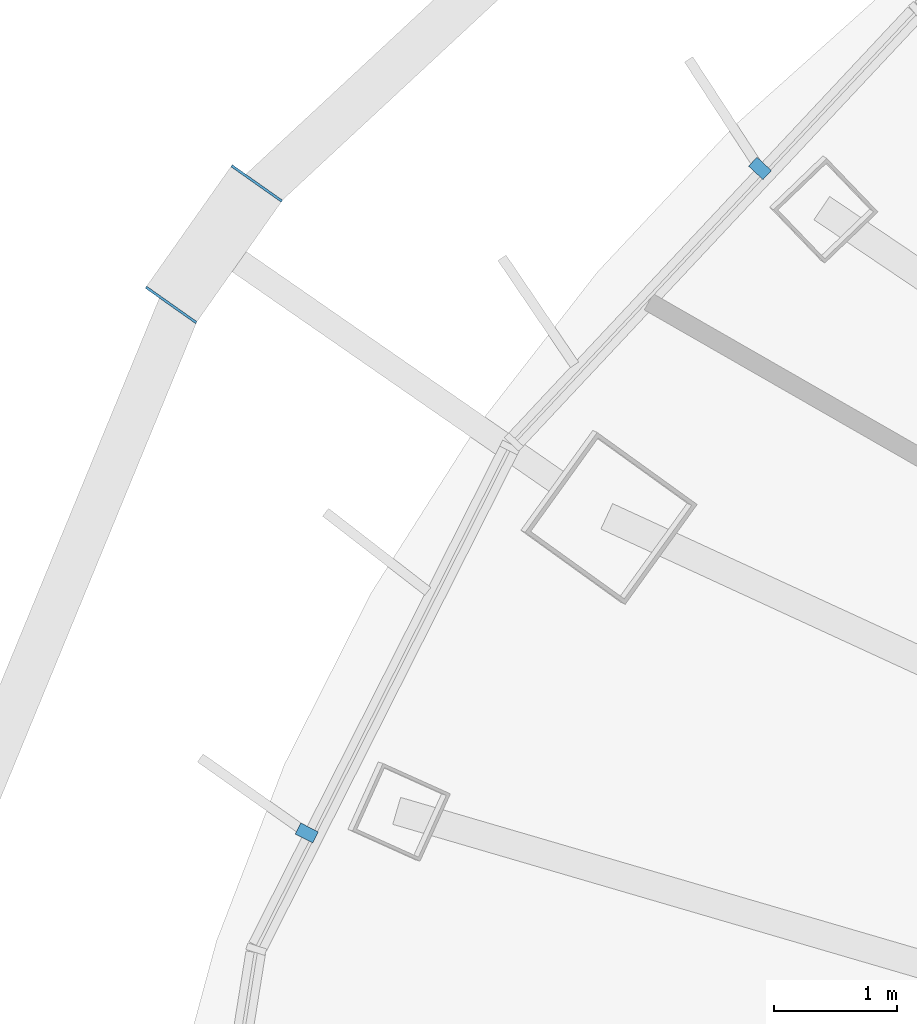
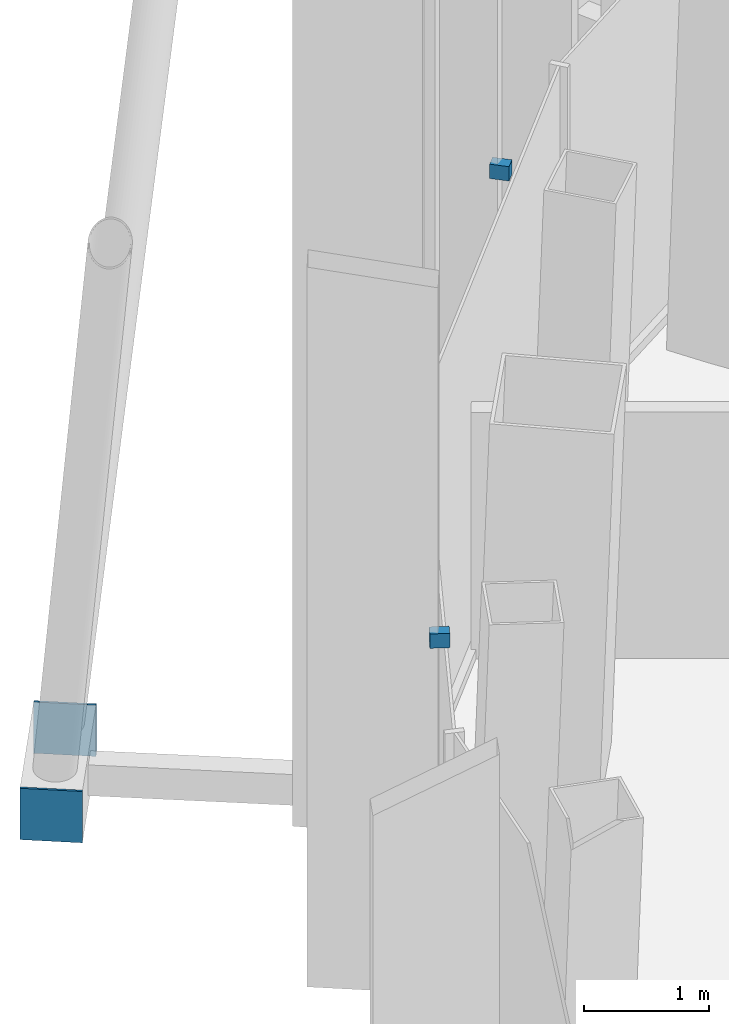
# One storey, part 13 of 19: 4 discrete accessories.
"""IFC4 building model written with IfcOpenShell, lengths in metres."""

from ifc_helpers import new_model, si_unit, direction, frame, origin, origin_2d, place, context, subcontext, project, spatial, rectangle, extrude, material, layer, layer_set, type_object, element, save


model = new_model("IFC4")

# Units and contexts
model_context = context("Model", 3, precision=1e-05, world=origin(), true_north=direction((0.0, 1.0)))
body_context = subcontext(model_context, "Body", "Model", "MODEL_VIEW")
ifc_project = project(units=[si_unit("LENGTHUNIT", "METRE"), si_unit("AREAUNIT", "SQUARE_METRE"), si_unit("VOLUMEUNIT", "CUBIC_METRE"), si_unit("PLANEANGLEUNIT", "RADIAN"), si_unit("MASSUNIT", "GRAM", prefix="KILO")], contexts=[model_context])

# Site, building, storey
site_placement = place(None, origin())
site = spatial("IfcSite", under=ifc_project, at=site_placement, CompositionType="ELEMENT")
building_placement = place(site_placement, origin())
building = spatial("IfcBuilding", under=site, at=building_placement, Name="Siaravel Broadcast Tower", CompositionType="ELEMENT")
storey_placement = place(building_placement, frame((0.0, 0.0, 250.39990234375)))
storey = spatial("IfcBuildingStorey", under=building, at=storey_placement, Name="L61", CompositionType="ELEMENT", Elevation=250.39990234375)

# Discrete accessories
ifc_material_1 = material(Name="Stainless steel 316", Category="steel")
discrete_accessory_type_1 = type_object("IfcDiscreteAccessoryType", Name="Stainless steel fin bracket", PredefinedType="USERDEFINED", material=ifc_material_1)
for number, where, z_axis, x_axis, name in (
    (1, (-15.935302734375, 10.741943359375, 3.67529296875), (0.0, 0.0, 1.0), (-0.729806802, 0.683653445, 0.0), "Fin bracket L61-22"),
    (2, (-19.6162109375, 5.3447265625, 3.67529296875), (0.0, 0.0, 1.0), (-0.892392939, 0.451259174, 0.0), "Fin bracket L61-25"),
):
    element("IfcDiscreteAccessory", number, at=place(storey_placement, frame(where, z_axis=z_axis, x_axis=x_axis)), inside=storey, type_object=discrete_accessory_type_1, Name=name, ObjectType="BRACKET", PredefinedType="USERDEFINED", context=body_context, shape_type="SweptSolid", body=[
        extrude(rectangle(XDim=0.159912109375, YDim=0.10009765625, at=origin_2d()), origin(), (0.0, 0.0, 1.0), 0.139892578125),
    ])
ifc_material_2 = material(Name="Steel S355", Category="steel")
ifc_layer = layer(ifc_material_2, 0.02001953125)
ifc_layer_set = layer_set([ifc_layer], Name="Steel S355")
discrete_accessory_type_2 = type_object("IfcDiscreteAccessoryType", Name="Steel end plate 20 mm", PredefinedType="USERDEFINED", material=ifc_layer_set)
for number, where, z_axis, x_axis, name in (
    (3, (-20.718017578125, 9.63330078125, -0.449951171875), (0.0, 0.0, 1.0), (-0.576118513, -0.817366172, 0.0), "End plate R25 station 30A"),
    (4, (-20.022705078125, 10.61962890625, -0.449951171875), (0.0, 0.0, 1.0), (-0.576118513, -0.817366172, 0.0), "End plate R25 station 30B"),
):
    element("IfcDiscreteAccessory", number, at=place(storey_placement, frame(where, z_axis=z_axis, x_axis=x_axis)), inside=storey, type_object=discrete_accessory_type_2, Name=name, ObjectType="END PLATE", PredefinedType="USERDEFINED", context=body_context, shape_type="SweptSolid", body=[
        extrude(rectangle(XDim=0.02001953125, YDim=0.5, at=origin_2d()), origin(), (0.0, 0.0, 1.0), 0.5),
    ])

save(model, "model.ifc")
